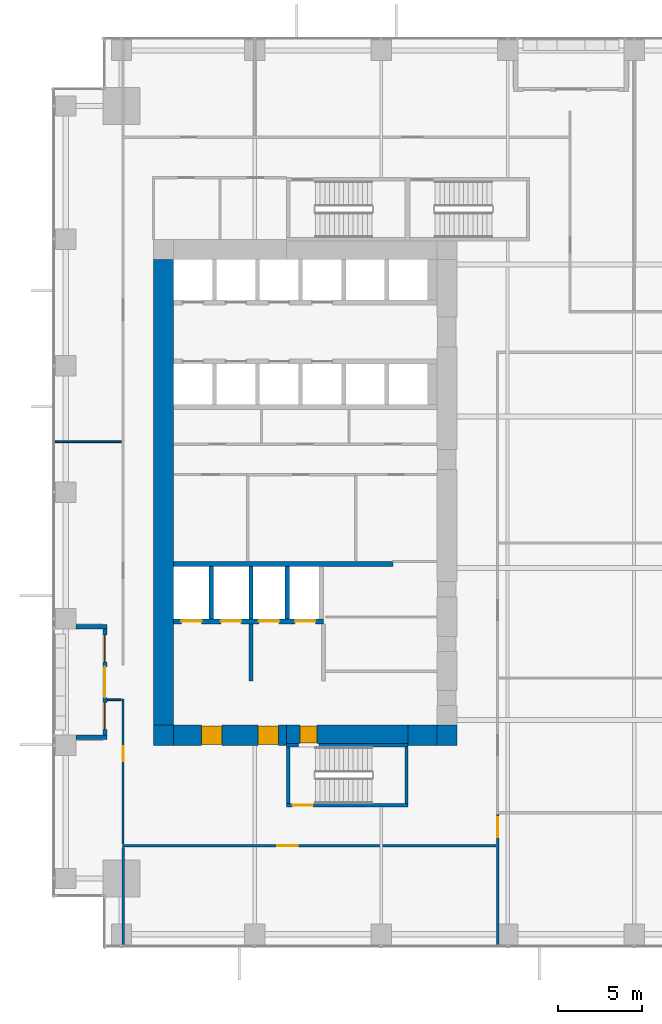
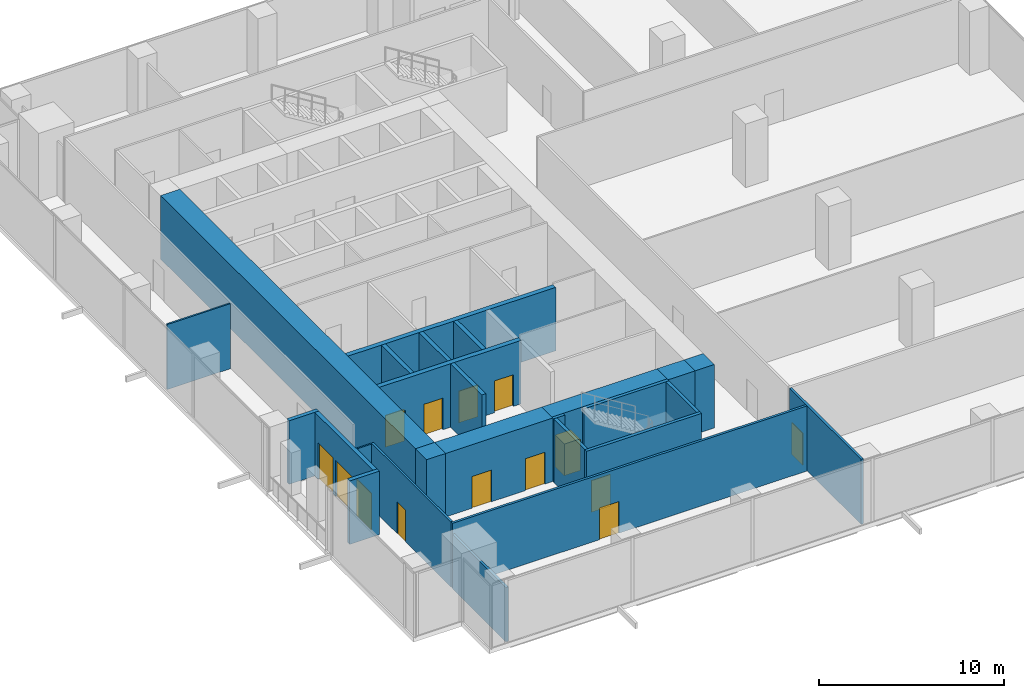
# One storey, part 27 of 33: 26 walls, 12 doors, 2 windows, 14 openings.
"""IFC4 building model written with IfcOpenShell, lengths in metres."""

from ifc_helpers import new_model, si_unit, direction, frame, frame_2d, origin, place, context, subcontext, project, spatial, rectangle, extrude, source, transform, mapped, material, layer, layer_set, type_object, element, fill, save


model = new_model("IFC4")

# Units and contexts
model_context = context("Model", 3, precision=1e-05, world=origin(), true_north=direction((0.0, 1.0)))
body_context = subcontext(model_context, "Body", "Model", "MODEL_VIEW")
ifc_project = project(units=[si_unit("LENGTHUNIT", "METRE"), si_unit("AREAUNIT", "SQUARE_METRE"), si_unit("VOLUMEUNIT", "CUBIC_METRE"), si_unit("PLANEANGLEUNIT", "RADIAN"), si_unit("MASSUNIT", "GRAM", prefix="KILO")], contexts=[model_context])

# Site, building, storey
site_placement = place(None, origin())
site = spatial("IfcSite", under=ifc_project, at=site_placement, CompositionType="ELEMENT")
building_placement = place(site_placement, origin())
building = spatial("IfcBuilding", under=site, at=building_placement, Name="Khomas Fold Tower", CompositionType="ELEMENT")
storey_placement = place(building_placement, frame((0.0, 0.0, 55.5)))
storey = spatial("IfcBuildingStorey", under=building, at=storey_placement, Name="L11", CompositionType="ELEMENT", Elevation=55.5)

# Wall, openings, doors
ifc_material_1 = material(Name="Concrete C70/85", Category="concrete")
ifc_layer_1 = layer(ifc_material_1, 1.199951171875)
ifc_layer_set_1 = layer_set([ifc_layer_1], Name="Concrete C70/85")
wall_type_1 = type_object("IfcWallType", Name="Core wall 1200", PredefinedType="SHEAR", material=ifc_layer_set_1)
shared_shape_1 = source(origin(), body_context, "Body", "SweptSolid", [
    extrude(rectangle(XDim=6.699951171875, YDim=1.199951171875, at=frame_2d((3.35009765625, 0.0))), origin(), (0.0, 0.0, 1.0), 4.199951171875),
])
wall_1_placement = place(storey_placement, frame((7.199951171875, 12.60009765625, 0.0), z_axis=(0.0, 0.0, 1.0), x_axis=(1.0, 0.0, 0.0)))
wall_1 = element("IfcWall", 1, at=wall_1_placement, inside=storey, type_object=wall_type_1, Name="Core wall CW-L-S-B2", PredefinedType="SHEAR", context=body_context, shape_type="MappedRepresentation", body=[
    mapped(shared_shape_1, transform((0.0, 0.0, 0.0))),
])
shared_shape_2 = source(origin(), body_context, "Body", "SweptSolid", [
    extrude(rectangle(XDim=1.199951171875, YDim=2.10009765625, at=frame_2d((0.60009765625, 1.050048828125))), frame((0.0, 0.60986328125, 0.0), z_axis=(0.0, -1.0, 0.0), x_axis=(1.0, 0.0, 0.0)), (0.0, 0.0, 1.0), 1.219970703125),
])
opening_1_placement = place(wall_1_placement, frame((5.0, 0.0, 0.0)))
opening_1 = element("IfcOpeningElement", 2, at=opening_1_placement, cuts=wall_1, Name="Opening 0009", PredefinedType="OPENING", context=body_context, shape_type="MappedRepresentation", body=[
    mapped(shared_shape_2, transform((0.0, 0.0, 0.0))),
])
opening_2_placement = place(wall_1_placement, frame((1.64990234375, 0.0, 0.0)))
opening_2 = element("IfcOpeningElement", 3, at=opening_2_placement, cuts=wall_1, Name="Opening 0009", PredefinedType="OPENING", context=body_context, shape_type="MappedRepresentation", body=[
    mapped(shared_shape_2, transform((0.0, 0.0, 0.0))),
])
ifc_material_2 = material(Name="Steel door leaf", Category="steel")
door_type_1 = type_object("IfcDoorType", Name="Lobby door 1200x2100 right-hand", OperationType="SINGLE_SWING_RIGHT", PredefinedType="DOOR", material=ifc_material_2)
shared_shape_3 = source(origin(), body_context, "Body", "SweptSolid", [
    extrude(rectangle(XDim=1.199951171875, YDim=2.10009765625, at=frame_2d((0.60009765625, 1.050048828125))), frame((0.0, 0.5498046875, 0.0), z_axis=(0.0, -1.0, 0.0), x_axis=(1.0, 0.0, 0.0)), (0.0, 0.0, 1.0), 1.099853515625),
])
door_1_placement = place(opening_1_placement, origin())
door_1 = element("IfcDoor", 4, at=door_1_placement, inside=storey, type_object=door_type_1, Name="Lobby door", OperationType="SINGLE_SWING_RIGHT", OverallHeight=2.10009765625, OverallWidth=1.199951171875, PredefinedType="DOOR", context=body_context, shape_type="MappedRepresentation", body=[
    mapped(shared_shape_3, transform((0.0, 0.0, 0.0))),
])
fill(opening_1, door_1)
door_2_placement = place(opening_2_placement, origin())
door_2 = element("IfcDoor", 5, at=door_2_placement, inside=storey, type_object=door_type_1, Name="Lobby door", OperationType="SINGLE_SWING_RIGHT", OverallHeight=2.10009765625, OverallWidth=1.199951171875, PredefinedType="DOOR", context=body_context, shape_type="MappedRepresentation", body=[
    mapped(shared_shape_3, transform((0.0, 0.0, 0.0))),
])
fill(opening_2, door_2)

# Walls
ifc_material_3 = material(Name="Concrete C70/85", Category="concrete")
ifc_layer_2 = layer(ifc_material_3, 1.199951171875)
ifc_layer_set_2 = layer_set([ifc_layer_2], Name="Concrete C70/85")
wall_type_2 = type_object("IfcWallType", Name="Core corner wall 1200", PredefinedType="SHEAR", material=ifc_layer_set_2)
shared_shape_4 = source(origin(), body_context, "Body", "SweptSolid", [
    extrude(rectangle(XDim=1.199951171875, YDim=1.199951171875, at=frame_2d((0.60009765625, 0.0))), origin(), (0.0, 0.0, 1.0), 4.199951171875),
])
for number, where, z_axis, x_axis, name in (
    (6, (22.800048828125, 12.60009765625, 0.0), (0.0, 0.0, 1.0), (1.0, 0.0, 0.0), "Core wall CW-L-SE-B2"),
    (7, (6.0, 12.60009765625, 0.0), (0.0, 0.0, 1.0), (1.0, 0.0, 0.0), "Core wall CW-L-SW-B2"),
):
    element("IfcWall", number, at=place(storey_placement, frame(where, z_axis=z_axis, x_axis=x_axis)), inside=storey, type_object=wall_type_2, Name=name, PredefinedType="SHEAR", context=body_context, shape_type="MappedRepresentation", body=[
        mapped(shared_shape_4, transform((0.0, 0.0, 0.0))),
    ])

# Wall, opening, door
ifc_material_4 = material(Name="Concrete C70/85", Category="concrete")
ifc_layer_3 = layer(ifc_material_4, 1.10009765625)
ifc_layer_set_3 = layer_set([ifc_layer_3], Name="Concrete C70/85")
wall_type_3 = type_object("IfcWallType", Name="Core wall 1100", PredefinedType="SHEAR", material=ifc_layer_set_3)
shared_shape_5 = source(origin(), body_context, "Body", "SweptSolid", [
    extrude(rectangle(XDim=7.2001953125, YDim=1.10009765625, at=frame_2d((3.60009765625, 0.0))), origin(), (0.0, 0.0, 1.0), 4.199951171875),
])
wall_2_placement = place(storey_placement, frame((13.89990234375, 12.64990234375, 0.0), z_axis=(0.0, 0.0, 1.0), x_axis=(1.0, 0.0, 0.0)))
wall_2 = element("IfcWall", 8, at=wall_2_placement, inside=storey, type_object=wall_type_3, Name="Core wall CW-L-S-B2-1", PredefinedType="SHEAR", context=body_context, shape_type="MappedRepresentation", body=[
    mapped(shared_shape_5, transform((0.0, 0.0, 0.0))),
])
shared_shape_6 = source(origin(), body_context, "Body", "SweptSolid", [
    extrude(rectangle(XDim=1.0, YDim=2.10009765625, at=frame_2d((0.5, 1.050048828125))), frame((0.0, 0.56005859375, 0.0), z_axis=(0.0, -1.0, 0.0), x_axis=(1.0, 0.0, 0.0)), (0.0, 0.0, 1.0), 1.1201171875),
])
opening_3_placement = place(wall_2_placement, frame((0.800048828125, 0.0, 0.0)))
opening_3 = element("IfcOpeningElement", 9, at=opening_3_placement, cuts=wall_2, Name="Opening 0010", PredefinedType="OPENING", context=body_context, shape_type="MappedRepresentation", body=[
    mapped(shared_shape_6, transform((0.0, 0.0, 0.0))),
])
ifc_material_5 = material(Name="Steel door leaf", Category="steel")
door_type_2 = type_object("IfcDoorType", Name="Stair door 1000x2100 right-hand", OperationType="SINGLE_SWING_RIGHT", PredefinedType="DOOR", material=ifc_material_5)
shared_shape_7 = source(origin(), body_context, "Body", "SweptSolid", [
    extrude(rectangle(XDim=1.0, YDim=2.10009765625, at=frame_2d((0.5, 1.050048828125))), frame((0.0, 0.5, 0.0), z_axis=(0.0, -1.0, 0.0), x_axis=(1.0, 0.0, 0.0)), (0.0, 0.0, 1.0), 1.0),
])
door_3_placement = place(opening_3_placement, origin())
door_3 = element("IfcDoor", 10, at=door_3_placement, inside=storey, type_object=door_type_2, Name="Stair door", OperationType="SINGLE_SWING_RIGHT", OverallHeight=2.10009765625, OverallWidth=1.0, PredefinedType="DOOR", context=body_context, shape_type="MappedRepresentation", body=[
    mapped(shared_shape_7, transform((0.0, 0.0, 0.0))),
])
fill(opening_3, door_3)

# Walls
shared_shape_8 = source(origin(), body_context, "Body", "SweptSolid", [
    extrude(rectangle(XDim=1.699951171875, YDim=1.199951171875, at=frame_2d((0.85009765625, 0.0))), origin(), (0.0, 0.0, 1.0), 4.199951171875),
])
wall_3_placement = place(storey_placement, frame((21.10009765625, 12.60009765625, 0.0), z_axis=(0.0, 0.0, 1.0), x_axis=(1.0, 0.0, 0.0)))
element("IfcWall", 11, at=wall_3_placement, inside=storey, type_object=wall_type_1, Name="Core wall CW-L-S-B2-2", PredefinedType="SHEAR", context=body_context, shape_type="MappedRepresentation", body=[
    mapped(shared_shape_8, transform((0.0, 0.0, 0.0))),
])
shared_shape_9 = source(origin(), body_context, "Body", "SweptSolid", [
    extrude(rectangle(XDim=27.60009765625, YDim=1.199951171875, at=frame_2d((13.800048828125, 0.0))), origin(), (0.0, 0.0, 1.0), 4.199951171875),
])
wall_4_placement = place(storey_placement, frame((6.60009765625, 13.199951171875, 0.0), z_axis=(0.0, 0.0, 1.0), x_axis=(0.0, 1.0, 0.0)))
element("IfcWall", 12, at=wall_4_placement, inside=storey, type_object=wall_type_1, Name="Core wall CW-L-W-B2", PredefinedType="SHEAR", context=body_context, shape_type="MappedRepresentation", body=[
    mapped(shared_shape_9, transform((0.0, 0.0, 0.0))),
])
ifc_material_6 = material(Name="Concrete C50/60", Category="concrete")
ifc_layer_4 = layer(ifc_material_6, 0.199951171875)
ifc_layer_set_4 = layer_set([ifc_layer_4], Name="Concrete C50/60")
wall_type_4 = type_object("IfcWallType", Name="Stair wall 200", PredefinedType="SHEAR", material=ifc_layer_set_4)
shared_shape_10 = source(origin(), body_context, "Body", "SweptSolid", [
    extrude(rectangle(XDim=0.7001953125, YDim=0.199951171875, at=frame_2d((0.35009765625, 0.0))), origin(), (0.0, 0.0, 1.0), 4.199951171875),
])
wall_5_placement = place(storey_placement, frame((13.89990234375, 12.0, 0.0), z_axis=(0.0, 0.0, 1.0), x_axis=(1.0, 0.0, 0.0)))
element("IfcWall", 13, at=wall_5_placement, inside=storey, type_object=wall_type_4, Name="Stair wall SW-ST2-N", PredefinedType="SHEAR", context=body_context, shape_type="MappedRepresentation", body=[
    mapped(shared_shape_10, transform((0.0, 0.0, 0.0))),
])
shared_shape_11 = source(origin(), body_context, "Body", "SweptSolid", [
    extrude(rectangle(XDim=5.300048828125, YDim=0.199951171875, at=frame_2d((2.64990234375, 0.0))), origin(), (0.0, 0.0, 1.0), 4.199951171875),
])
wall_6_placement = place(storey_placement, frame((15.800048828125, 12.0, 0.0), z_axis=(0.0, 0.0, 1.0), x_axis=(1.0, 0.0, 0.0)))
element("IfcWall", 14, at=wall_6_placement, inside=storey, type_object=wall_type_4, Name="Stair wall SW-ST2-NB", PredefinedType="SHEAR", context=body_context, shape_type="MappedRepresentation", body=[
    mapped(shared_shape_11, transform((0.0, 0.0, 0.0))),
])

# Wall, opening, door
shared_shape_12 = source(origin(), body_context, "Body", "SweptSolid", [
    extrude(rectangle(XDim=7.2001953125, YDim=0.199951171875, at=frame_2d((3.60009765625, 0.0))), origin(), (0.0, 0.0, 1.0), 4.199951171875),
])
wall_7_placement = place(storey_placement, frame((13.89990234375, 8.449951171875, 0.0), z_axis=(0.0, 0.0, 1.0), x_axis=(1.0, 0.0, 0.0)))
wall_7 = element("IfcWall", 15, at=wall_7_placement, inside=storey, type_object=wall_type_4, Name="Stair wall SW-ST2-S", PredefinedType="SHEAR", context=body_context, shape_type="MappedRepresentation", body=[
    mapped(shared_shape_12, transform((0.0, 0.0, 0.0))),
])
shared_shape_13 = source(origin(), body_context, "Body", "SweptSolid", [
    extrude(rectangle(XDim=1.199951171875, YDim=2.10009765625, at=frame_2d((0.60009765625, 1.050048828125))), frame((0.0, 0.10986328125, 0.0), z_axis=(0.0, -1.0, 0.0), x_axis=(1.0, 0.0, 0.0)), (0.0, 0.0, 1.0), 0.219970703125),
])
opening_4_placement = place(wall_7_placement, frame((0.35009765625, 0.0, 0.0)))
opening_4 = element("IfcOpeningElement", 16, at=opening_4_placement, cuts=wall_7, Name="Opening SD-ST2", PredefinedType="OPENING", context=body_context, shape_type="MappedRepresentation", body=[
    mapped(shared_shape_13, transform((0.0, 0.0, 0.0))),
])
ifc_material_7 = material(Name="Steel door leaf", Category="steel")
door_type_3 = type_object("IfcDoorType", Name="Stair door 1200x2100 right-hand", OperationType="SINGLE_SWING_RIGHT", PredefinedType="DOOR", material=ifc_material_7)
shared_shape_14 = source(origin(), body_context, "Body", "SweptSolid", [
    extrude(rectangle(XDim=1.199951171875, YDim=2.10009765625, at=frame_2d((0.60009765625, 1.050048828125))), frame((0.0, 0.02490234375, 0.0), z_axis=(0.0, -1.0, 0.0), x_axis=(1.0, 0.0, 0.0)), (0.0, 0.0, 1.0), 0.050048828125),
])
door_4_placement = place(opening_4_placement, origin())
door_4 = element("IfcDoor", 17, at=door_4_placement, inside=storey, type_object=door_type_3, Name="Stair door", OperationType="SINGLE_SWING_RIGHT", OverallHeight=2.10009765625, OverallWidth=1.199951171875, PredefinedType="DOOR", context=body_context, shape_type="MappedRepresentation", body=[
    mapped(shared_shape_14, transform((0.0, 0.0, 0.0))),
])
fill(opening_4, door_4)

# Walls
shared_shape_15 = source(origin(), body_context, "Body", "SweptSolid", [
    extrude(rectangle(XDim=3.349853515625, YDim=0.199951171875, at=frame_2d((1.6748046875, 0.0))), origin(), (0.0, 0.0, 1.0), 4.199951171875),
])
for number, where, z_axis, x_axis, name in (
    (18, (21.0, 8.550048828125, 0.0), (0.0, 0.0, 1.0), (0.0, 1.0, 0.0), "Stair wall SW-ST2-E"),
    (19, (14.0, 8.550048828125, 0.0), (0.0, 0.0, 1.0), (0.0, 1.0, 0.0), "Stair wall SW-ST2-W"),
):
    element("IfcWall", number, at=place(storey_placement, frame(where, z_axis=z_axis, x_axis=x_axis)), inside=storey, type_object=wall_type_4, Name=name, PredefinedType="SHEAR", context=body_context, shape_type="MappedRepresentation", body=[
        mapped(shared_shape_15, transform((0.0, 0.0, 0.0))),
    ])
ifc_material_8 = material(Name="Concrete C50/60", Category="concrete")
ifc_layer_5 = layer(ifc_material_8, 0.300048828125)
ifc_layer_set_5 = layer_set([ifc_layer_5], Name="Concrete C50/60")
wall_type_5 = type_object("IfcWallType", Name="Shaft wall 300", PredefinedType="STANDARD", material=ifc_layer_set_5)
shared_shape_16 = source(origin(), body_context, "Body", "SweptSolid", [
    extrude(rectangle(XDim=13.0, YDim=0.300048828125, at=frame_2d((6.5, 0.0))), origin(), (0.0, 0.0, 1.0), 4.199951171875),
])
wall_8_placement = place(storey_placement, frame((7.199951171875, 22.75, 0.0), z_axis=(0.0, 0.0, 1.0), x_axis=(1.0, 0.0, 0.0)))
element("IfcWall", 20, at=wall_8_placement, inside=storey, type_object=wall_type_5, Name="Core wall SW-FS-B", PredefinedType="STANDARD", context=body_context, shape_type="MappedRepresentation", body=[
    mapped(shared_shape_16, transform((0.0, 0.0, 0.0))),
])

# Wall, openings, doors
shared_shape_17 = source(origin(), body_context, "Body", "SweptSolid", [
    extrude(rectangle(XDim=8.875, YDim=0.300048828125, at=frame_2d((4.4375, 0.0))), origin(), (0.0, 0.0, 1.0), 4.199951171875),
])
wall_9_placement = place(storey_placement, frame((7.199951171875, 19.35009765625, 0.0), z_axis=(0.0, 0.0, 1.0), x_axis=(1.0, 0.0, 0.0)))
wall_9 = element("IfcWall", 21, at=wall_9_placement, inside=storey, type_object=wall_type_5, Name="Core wall SW-FS-F", PredefinedType="STANDARD", context=body_context, shape_type="MappedRepresentation", body=[
    mapped(shared_shape_17, transform((0.0, 0.0, 0.0))),
])
shared_shape_18 = source(origin(), body_context, "Body", "SweptSolid", [
    extrude(rectangle(XDim=1.199951171875, YDim=2.10009765625, at=frame_2d((0.60009765625, 1.050048828125))), frame((0.0, 0.159912109375, 0.0), z_axis=(0.0, -1.0, 0.0), x_axis=(1.0, 0.0, 0.0)), (0.0, 0.0, 1.0), 0.320068359375),
])
opening_5_placement = place(wall_9_placement, frame((0.449951171875, 0.0, 0.0)))
opening_5 = element("IfcOpeningElement", 22, at=opening_5_placement, cuts=wall_9, Name="Opening LD-SV1", PredefinedType="OPENING", context=body_context, shape_type="MappedRepresentation", body=[
    mapped(shared_shape_18, transform((0.0, 0.0, 0.0))),
])
opening_6_placement = place(wall_9_placement, frame((2.800048828125, 0.0, 0.0)))
opening_6 = element("IfcOpeningElement", 23, at=opening_6_placement, cuts=wall_9, Name="Opening LD-SV2", PredefinedType="OPENING", context=body_context, shape_type="MappedRepresentation", body=[
    mapped(shared_shape_18, transform((0.0, 0.0, 0.0))),
])
opening_7_placement = place(wall_9_placement, frame((5.050048828125, 0.0, 0.0)))
opening_7 = element("IfcOpeningElement", 24, at=opening_7_placement, cuts=wall_9, Name="Opening LD-FF1", PredefinedType="OPENING", context=body_context, shape_type="MappedRepresentation", body=[
    mapped(shared_shape_18, transform((0.0, 0.0, 0.0))),
])
opening_8_placement = place(wall_9_placement, frame((7.199951171875, 0.0, 0.0)))
opening_8 = element("IfcOpeningElement", 25, at=opening_8_placement, cuts=wall_9, Name="Opening LD-FF2", PredefinedType="OPENING", context=body_context, shape_type="MappedRepresentation", body=[
    mapped(shared_shape_18, transform((0.0, 0.0, 0.0))),
])
ifc_material_9 = material(Name="Steel door leaf", Category="steel")
door_type_4 = type_object("IfcDoorType", Name="Landing door 1200x2100", OperationType="DOUBLE_DOOR_SLIDING", PredefinedType="DOOR", material=ifc_material_9)
door_5_placement = place(opening_5_placement, origin())
door_5 = element("IfcDoor", 26, at=door_5_placement, inside=storey, type_object=door_type_4, Name="Lift landing door", OperationType="DOUBLE_DOOR_SLIDING", OverallHeight=2.10009765625, OverallWidth=1.199951171875, PredefinedType="DOOR", context=body_context, shape_type="MappedRepresentation", body=[
    mapped(shared_shape_14, transform((0.0, 0.0, 0.0))),
])
fill(opening_5, door_5)
door_6_placement = place(opening_6_placement, origin())
door_6 = element("IfcDoor", 27, at=door_6_placement, inside=storey, type_object=door_type_4, Name="Lift landing door", OperationType="DOUBLE_DOOR_SLIDING", OverallHeight=2.10009765625, OverallWidth=1.199951171875, PredefinedType="DOOR", context=body_context, shape_type="MappedRepresentation", body=[
    mapped(shared_shape_14, transform((0.0, 0.0, 0.0))),
])
fill(opening_6, door_6)
door_7_placement = place(opening_7_placement, origin())
door_7 = element("IfcDoor", 28, at=door_7_placement, inside=storey, type_object=door_type_4, Name="Lift landing door", OperationType="DOUBLE_DOOR_SLIDING", OverallHeight=2.10009765625, OverallWidth=1.199951171875, PredefinedType="DOOR", context=body_context, shape_type="MappedRepresentation", body=[
    mapped(shared_shape_14, transform((0.0, 0.0, 0.0))),
])
fill(opening_7, door_7)
door_8_placement = place(opening_8_placement, origin())
door_8 = element("IfcDoor", 29, at=door_8_placement, inside=storey, type_object=door_type_4, Name="Lift landing door", OperationType="DOUBLE_DOOR_SLIDING", OverallHeight=2.10009765625, OverallWidth=1.199951171875, PredefinedType="DOOR", context=body_context, shape_type="MappedRepresentation", body=[
    mapped(shared_shape_14, transform((0.0, 0.0, 0.0))),
])
fill(opening_8, door_8)

# Walls
ifc_material_10 = material(Name="Concrete C50/60", Category="concrete")
ifc_layer_6 = layer(ifc_material_10, 0.25)
ifc_layer_set_6 = layer_set([ifc_layer_6], Name="Concrete C50/60")
wall_type_6 = type_object("IfcWallType", Name="Shaft wall 250", PredefinedType="STANDARD", material=ifc_layer_set_6)
shared_shape_19 = source(origin(), body_context, "Body", "SweptSolid", [
    extrude(rectangle(XDim=3.10009765625, YDim=0.25, at=frame_2d((1.550048828125, 0.0))), origin(), (0.0, 0.0, 1.0), 4.199951171875),
])
for number, where, z_axis, x_axis, name in (
    (30, (9.425048828125, 19.5, 0.0), (0.0, 0.0, 1.0), (0.0, 1.0, 0.0), "Core wall SW-FS-P1"),
    (31, (11.77490234375, 19.5, 0.0), (0.0, 0.0, 1.0), (0.0, 1.0, 0.0), "Core wall SW-FS-P2"),
    (32, (13.925048828125, 19.5, 0.0), (0.0, 0.0, 1.0), (0.0, 1.0, 0.0), "Core wall SW-FS-P3"),
):
    element("IfcWall", number, at=place(storey_placement, frame(where, z_axis=z_axis, x_axis=x_axis)), inside=storey, type_object=wall_type_6, Name=name, PredefinedType="STANDARD", context=body_context, shape_type="MappedRepresentation", body=[
        mapped(shared_shape_19, transform((0.0, 0.0, 0.0))),
    ])
ifc_material_11 = material(Name="Concrete C50/60", Category="concrete")
ifc_layer_7 = layer(ifc_material_11, 0.25)
ifc_layer_set_7 = layer_set([ifc_layer_7], Name="Concrete C50/60")
wall_type_7 = type_object("IfcWallType", Name="Lobby wall 250", PredefinedType="STANDARD", material=ifc_layer_set_7)
shared_shape_20 = source(origin(), body_context, "Body", "SweptSolid", [
    extrude(rectangle(XDim=3.39990234375, YDim=0.25, at=frame_2d((1.699951171875, 0.0))), origin(), (0.0, 0.0, 1.0), 4.199951171875),
])
wall_10_placement = place(storey_placement, frame((11.77490234375, 15.800048828125, 0.0), z_axis=(0.0, 0.0, 1.0), x_axis=(0.0, 1.0, 0.0)))
element("IfcWall", 33, at=wall_10_placement, inside=storey, type_object=wall_type_7, Name="Core wall SW-FS-SEP", PredefinedType="STANDARD", context=body_context, shape_type="MappedRepresentation", body=[
    mapped(shared_shape_20, transform((0.0, 0.0, 0.0))),
])

# Wall, openings, windows, door
ifc_material_12 = material(Name="Natural stone", Category="masonry")
ifc_layer_8 = layer(ifc_material_12, 0.0400390625)
ifc_material_13 = material(Name="Mineral wool insulation", Category="insulation")
ifc_layer_9 = layer(ifc_material_13, 0.10009765625)
ifc_material_14 = material(Name="Masonry", Category="masonry")
ifc_layer_10 = layer(ifc_material_14, 0.110107421875)
ifc_layer_set_8 = layer_set([ifc_layer_8, ifc_layer_9, ifc_layer_10], Name="Stone-faced insulated masonry")
wall_type_8 = type_object("IfcWallType", Name="BL-Balcony wall", PredefinedType="SOLIDWALL", material=ifc_layer_set_8)
shared_shape_21 = source(origin(), body_context, "Body", "SweptSolid", [
    extrude(rectangle(XDim=6.2998046875, YDim=0.25, at=frame_2d((3.14990234375, 0.0))), origin(), (0.0, 0.0, 1.0), 4.199951171875),
])
wall_11_placement = place(storey_placement, frame((3.125, 12.60009765625, 0.0), z_axis=(0.0, 0.0, 1.0), x_axis=(0.0, 1.0, 0.0)))
wall_11 = element("IfcWall", 34, at=wall_11_placement, inside=storey, type_object=wall_type_8, Name="Balcony wall BAL-L11-W1", PredefinedType="SOLIDWALL", context=body_context, shape_type="MappedRepresentation", body=[
    mapped(shared_shape_21, transform((0.0, 0.0, 0.0))),
])
shared_shape_22 = source(origin(), body_context, "Body", "SweptSolid", [
    extrude(rectangle(XDim=1.60009765625, YDim=2.39990234375, at=frame_2d((0.800048828125, 1.199951171875))), frame((0.0, 0.135009765625, 0.0), z_axis=(0.0, -1.0, 0.0), x_axis=(1.0, 0.0, 0.0)), (0.0, 0.0, 1.0), 0.27001953125),
])
opening_9_placement = place(wall_11_placement, frame((0.35009765625, 0.0, 0.0)))
opening_9 = element("IfcOpeningElement", 35, at=opening_9_placement, cuts=wall_11, Name="Opening BL-W1", PredefinedType="OPENING", context=body_context, shape_type="MappedRepresentation", body=[
    mapped(shared_shape_22, transform((0.0, 0.0, 0.0))),
])
opening_10_placement = place(wall_11_placement, frame((4.35009765625, 0.0, 0.0)))
opening_10 = element("IfcOpeningElement", 36, at=opening_10_placement, cuts=wall_11, Name="Opening BL-W1", PredefinedType="OPENING", context=body_context, shape_type="MappedRepresentation", body=[
    mapped(shared_shape_22, transform((0.0, 0.0, 0.0))),
])
shared_shape_23 = source(origin(), body_context, "Body", "SweptSolid", [
    extrude(rectangle(XDim=1.800048828125, YDim=2.39990234375, at=frame_2d((0.89990234375, 1.199951171875))), frame((0.0, 0.135009765625, 0.0), z_axis=(0.0, -1.0, 0.0), x_axis=(1.0, 0.0, 0.0)), (0.0, 0.0, 1.0), 0.27001953125),
])
opening_11_placement = place(wall_11_placement, frame((2.25, 0.0, 0.0)))
opening_11 = element("IfcOpeningElement", 37, at=opening_11_placement, cuts=wall_11, Name="Opening BD112", PredefinedType="OPENING", context=body_context, shape_type="MappedRepresentation", body=[
    mapped(shared_shape_23, transform((0.0, 0.0, 0.0))),
])
ifc_material_15 = material(Name="Aluminium framed double glazing", Category="aluminium")
window_type = type_object("IfcWindowType", Name="BL-Fixed glazing 1600 x 2400", PartitioningType="SINGLE_PANEL", PredefinedType="WINDOW", material=ifc_material_15)
shared_shape_24 = source(origin(), body_context, "Body", "SweptSolid", [
    extrude(rectangle(XDim=1.60009765625, YDim=2.39990234375, at=frame_2d((0.800048828125, 1.199951171875))), frame((0.0, 0.030029296875, 0.0), z_axis=(0.0, -1.0, 0.0), x_axis=(1.0, 0.0, 0.0)), (0.0, 0.0, 1.0), 0.06005859375),
])
window_1_placement = place(opening_9_placement, origin())
window_1 = element("IfcWindow", 38, at=window_1_placement, inside=storey, type_object=window_type, Name="Balcony glazing BAL-L11-W1-1", OverallHeight=2.39990234375, OverallWidth=1.60009765625, PartitioningType="SINGLE_PANEL", PredefinedType="WINDOW", context=body_context, shape_type="MappedRepresentation", body=[
    mapped(shared_shape_24, transform((0.0, 0.0, 0.0))),
])
fill(opening_9, window_1)
window_2_placement = place(opening_10_placement, origin())
window_2 = element("IfcWindow", 39, at=window_2_placement, inside=storey, type_object=window_type, Name="Balcony glazing BAL-L11-W1-2", OverallHeight=2.39990234375, OverallWidth=1.60009765625, PartitioningType="SINGLE_PANEL", PredefinedType="WINDOW", context=body_context, shape_type="MappedRepresentation", body=[
    mapped(shared_shape_24, transform((0.0, 0.0, 0.0))),
])
fill(opening_10, window_2)
ifc_material_16 = material(Name="Aluminium framed double glazing", Category="aluminium")
door_type_5 = type_object("IfcDoorType", Name="BL-Glazed balcony door 1800 x 2400", OperationType="DOUBLE_DOOR_DOUBLE_SWING", PredefinedType="DOOR", material=ifc_material_16)
shared_shape_25 = source(origin(), body_context, "Body", "SweptSolid", [
    extrude(rectangle(XDim=1.800048828125, YDim=2.39990234375, at=frame_2d((0.89990234375, 1.199951171875))), frame((0.0, 0.02490234375, 0.0), z_axis=(0.0, -1.0, 0.0), x_axis=(1.0, 0.0, 0.0)), (0.0, 0.0, 1.0), 0.050048828125),
])
door_9_placement = place(opening_11_placement, origin())
door_9 = element("IfcDoor", 40, at=door_9_placement, inside=storey, type_object=door_type_5, Name="Balcony door BD112", OperationType="DOUBLE_DOOR_DOUBLE_SWING", OverallHeight=2.39990234375, OverallWidth=1.800048828125, PredefinedType="DOOR", context=body_context, shape_type="MappedRepresentation", body=[
    mapped(shared_shape_25, transform((0.0, 0.0, 0.0))),
])
fill(opening_11, door_9)

# Walls
shared_shape_26 = source(origin(), body_context, "Body", "SweptSolid", [
    extrude(rectangle(XDim=1.85009765625, YDim=0.25, at=frame_2d((0.925048828125, 0.0))), origin(), (0.0, 0.0, 1.0), 4.199951171875),
])
for number, where, z_axis, x_axis, name in (
    (41, (1.39990234375, 12.47509765625, 0.0), (0.0, 0.0, 1.0), (1.0, 0.0, 0.0), "Balcony return wall BAL-L11-W1-lo"),
    (42, (1.39990234375, 19.02490234375, 0.0), (0.0, 0.0, 1.0), (1.0, 0.0, 0.0), "Balcony return wall BAL-L11-W1-hi"),
):
    element("IfcWall", number, at=place(storey_placement, frame(where, z_axis=z_axis, x_axis=x_axis)), inside=storey, type_object=wall_type_8, Name=name, PredefinedType="SOLIDWALL", context=body_context, shape_type="MappedRepresentation", body=[
        mapped(shared_shape_26, transform((0.0, 0.0, 0.0))),
    ])

# Wall, opening, door
ifc_material_17 = material(Name="Plasterboard fire partition")
ifc_layer_11 = layer(ifc_material_17, 0.14990234375)
ifc_layer_set_9 = layer_set([ifc_layer_11], Name="Plasterboard fire partition")
wall_type_9 = type_object("IfcWallType", Name="Plant room wall PW3 150", PredefinedType="PARTITIONING", material=ifc_layer_set_9)
shared_shape_27 = source(origin(), body_context, "Body", "SweptSolid", [
    extrude(rectangle(XDim=7.75, YDim=0.14990234375, at=frame_2d((3.875, 0.0))), origin(), (0.0, 0.0, 1.0), 4.300048828125),
])
wall_12_placement = place(storey_placement, frame((26.39990234375, 0.14990234375, 0.0), z_axis=(0.0, 0.0, 1.0), x_axis=(0.0, 1.0, 0.0)))
wall_12 = element("IfcWall", 43, at=wall_12_placement, inside=storey, type_object=wall_type_9, Name="Plant room wall", PredefinedType="PARTITIONING", context=body_context, shape_type="MappedRepresentation", body=[
    mapped(shared_shape_27, transform((0.0, 0.0, 0.0))),
])
shared_shape_28 = source(origin(), body_context, "Body", "SweptSolid", [
    extrude(rectangle(XDim=1.199951171875, YDim=2.10009765625, at=frame_2d((0.60009765625, 1.050048828125))), frame((0.0, 0.0849609375, 0.0), z_axis=(0.0, -1.0, 0.0), x_axis=(1.0, 0.0, 0.0)), (0.0, 0.0, 1.0), 0.169921875),
])
opening_12_placement = place(wall_12_placement, frame((6.39990234375, 0.0, 0.0)))
opening_12 = element("IfcOpeningElement", 44, at=opening_12_placement, cuts=wall_12, Name="Opening 0011", PredefinedType="OPENING", context=body_context, shape_type="MappedRepresentation", body=[
    mapped(shared_shape_28, transform((0.0, 0.0, 0.0))),
])
ifc_material_18 = material(Name="Steel door leaf", Category="steel")
door_type_6 = type_object("IfcDoorType", Name="Plant room door 1200x2100 right-hand", OperationType="SINGLE_SWING_RIGHT", PredefinedType="DOOR", material=ifc_material_18)
door_10_placement = place(opening_12_placement, origin())
door_10 = element("IfcDoor", 45, at=door_10_placement, inside=storey, type_object=door_type_6, Name="Plant room door", OperationType="SINGLE_SWING_RIGHT", OverallHeight=2.10009765625, OverallWidth=1.199951171875, PredefinedType="DOOR", context=body_context, shape_type="MappedRepresentation", body=[
    mapped(shared_shape_14, transform((0.0, 0.0, 0.0))),
])
fill(opening_12, door_10)

# Walls
ifc_material_19 = material(Name="Plasterboard partition")
ifc_layer_12 = layer(ifc_material_19, 0.10009765625)
ifc_layer_set_10 = layer_set([ifc_layer_12], Name="Plasterboard partition")
wall_type_10 = type_object("IfcWallType", Name="Partition PW1 100", PredefinedType="PARTITIONING", material=ifc_layer_set_10)
shared_shape_29 = source(origin(), body_context, "Body", "SweptSolid", [
    extrude(rectangle(XDim=3.9501953125, YDim=0.10009765625, at=frame_2d((1.97509765625, 0.0))), origin(), (0.0, 0.0, 1.0), 4.300048828125),
])
wall_13_placement = place(storey_placement, frame((0.14990234375, 30.0, 0.0), z_axis=(0.0, 0.0, 1.0), x_axis=(1.0, 0.0, 0.0)))
element("IfcWall", 46, at=wall_13_placement, inside=storey, type_object=wall_type_10, Name="Partition", PredefinedType="PARTITIONING", context=body_context, shape_type="MappedRepresentation", body=[
    mapped(shared_shape_29, transform((0.0, 0.0, 0.0))),
])
shared_shape_30 = source(origin(), body_context, "Body", "SweptSolid", [
    extrude(rectangle(XDim=5.800048828125, YDim=0.14990234375, at=frame_2d((2.89990234375, 0.0))), origin(), (0.0, 0.0, 1.0), 3.60009765625),
])
wall_14_placement = place(storey_placement, frame((4.199951171875, 0.14990234375, 0.0), z_axis=(0.0, 0.0, 1.0), x_axis=(0.0, 1.0, 0.0)))
element("IfcWall", 47, at=wall_14_placement, inside=storey, type_object=wall_type_9, Name="Plant room wall", PredefinedType="PARTITIONING", context=body_context, shape_type="MappedRepresentation", body=[
    mapped(shared_shape_30, transform((0.0, 0.0, 0.0))),
])

# Wall, opening, door
shared_shape_31 = source(origin(), body_context, "Body", "SweptSolid", [
    extrude(rectangle(XDim=22.150146484375, YDim=0.14990234375, at=frame_2d((11.0751953125, 0.0))), origin(), (0.0, 0.0, 1.0), 4.300048828125),
])
wall_15_placement = place(storey_placement, frame((4.14990234375, 6.050048828125, 0.0), z_axis=(0.0, 0.0, 1.0), x_axis=(1.0, 0.0, 0.0)))
wall_15 = element("IfcWall", 48, at=wall_15_placement, inside=storey, type_object=wall_type_9, Name="Plant room wall", PredefinedType="PARTITIONING", context=body_context, shape_type="MappedRepresentation", body=[
    mapped(shared_shape_31, transform((0.0, 0.0, 0.0))),
])
opening_13_placement = place(wall_15_placement, frame((9.199951171875, 0.0, 0.0)))
opening_13 = element("IfcOpeningElement", 49, at=opening_13_placement, cuts=wall_15, Name="Opening 0012", PredefinedType="OPENING", context=body_context, shape_type="MappedRepresentation", body=[
    mapped(shared_shape_28, transform((0.0, 0.0, 0.0))),
])
ifc_material_20 = material(Name="Steel door leaf", Category="steel")
door_type_7 = type_object("IfcDoorType", Name="Plant room door 1200x2100 left-hand", OperationType="SINGLE_SWING_LEFT", PredefinedType="DOOR", material=ifc_material_20)
door_11_placement = place(opening_13_placement, origin())
door_11 = element("IfcDoor", 50, at=door_11_placement, inside=storey, type_object=door_type_7, Name="Plant room door", OperationType="SINGLE_SWING_LEFT", OverallHeight=2.10009765625, OverallWidth=1.199951171875, PredefinedType="DOOR", context=body_context, shape_type="MappedRepresentation", body=[
    mapped(shared_shape_14, transform((0.0, 0.0, 0.0))),
])
fill(opening_13, door_11)

# Wall
shared_shape_32 = source(origin(), body_context, "Body", "SweptSolid", [
    extrude(rectangle(XDim=0.85009765625, YDim=0.10009765625, at=frame_2d((0.425048828125, 0.0))), origin(), (0.0, 0.0, 1.0), 4.300048828125),
])
wall_16_placement = place(storey_placement, frame((3.25, 14.699951171875, 0.0), z_axis=(0.0, 0.0, 1.0), x_axis=(1.0, 0.0, 0.0)))
element("IfcWall", 51, at=wall_16_placement, inside=storey, type_object=wall_type_10, Name="Partition", PredefinedType="PARTITIONING", context=body_context, shape_type="MappedRepresentation", body=[
    mapped(shared_shape_32, transform((0.0, 0.0, 0.0))),
])

# Wall, opening, door
ifc_material_21 = material(Name="Plasterboard partition")
ifc_layer_13 = layer(ifc_material_21, 0.125)
ifc_layer_set_11 = layer_set([ifc_layer_13], Name="Plasterboard partition")
wall_type_11 = type_object("IfcWallType", Name="Partition PW2 125", PredefinedType="PARTITIONING", material=ifc_layer_set_11)
shared_shape_33 = source(origin(), body_context, "Body", "SweptSolid", [
    extrude(rectangle(XDim=8.60009765625, YDim=0.125, at=frame_2d((4.300048828125, 0.0))), origin(), (0.0, 0.0, 1.0), 4.300048828125),
])
wall_17_placement = place(storey_placement, frame((4.199951171875, 6.14990234375, 0.0), z_axis=(0.0, 0.0, 1.0), x_axis=(0.0, 1.0, 0.0)))
wall_17 = element("IfcWall", 52, at=wall_17_placement, inside=storey, type_object=wall_type_11, Name="Partition", PredefinedType="PARTITIONING", context=body_context, shape_type="MappedRepresentation", body=[
    mapped(shared_shape_33, transform((0.0, 0.0, 0.0))),
])
shared_shape_34 = source(origin(), body_context, "Body", "SweptSolid", [
    extrude(rectangle(XDim=0.89990234375, YDim=2.10009765625, at=frame_2d((0.449951171875, 1.050048828125))), frame((0.0, 0.072509765625, 0.0), z_axis=(0.0, -1.0, 0.0), x_axis=(1.0, 0.0, 0.0)), (0.0, 0.0, 1.0), 0.14501953125),
])
opening_14_placement = place(wall_17_placement, frame((4.89990234375, 0.0, 0.0)))
opening_14 = element("IfcOpeningElement", 53, at=opening_14_placement, cuts=wall_17, Name="Opening 0008", PredefinedType="OPENING", context=body_context, shape_type="MappedRepresentation", body=[
    mapped(shared_shape_34, transform((0.0, 0.0, 0.0))),
])
ifc_material_22 = material(Name="Timber door leaf", Category="wood")
door_type_8 = type_object("IfcDoorType", Name="Door 900x2100 right-hand", OperationType="SINGLE_SWING_RIGHT", PredefinedType="DOOR", material=ifc_material_22)
shared_shape_35 = source(origin(), body_context, "Body", "SweptSolid", [
    extrude(rectangle(XDim=0.89990234375, YDim=2.10009765625, at=frame_2d((0.449951171875, 1.050048828125))), frame((0.0, 0.02490234375, 0.0), z_axis=(0.0, -1.0, 0.0), x_axis=(1.0, 0.0, 0.0)), (0.0, 0.0, 1.0), 0.050048828125),
])
door_12_placement = place(opening_14_placement, origin())
door_12 = element("IfcDoor", 54, at=door_12_placement, inside=storey, type_object=door_type_8, Name="Door", OperationType="SINGLE_SWING_RIGHT", OverallHeight=2.10009765625, OverallWidth=0.89990234375, PredefinedType="DOOR", context=body_context, shape_type="MappedRepresentation", body=[
    mapped(shared_shape_35, transform((0.0, 0.0, 0.0))),
])
fill(opening_14, door_12)

save(model, "model.ifc")
